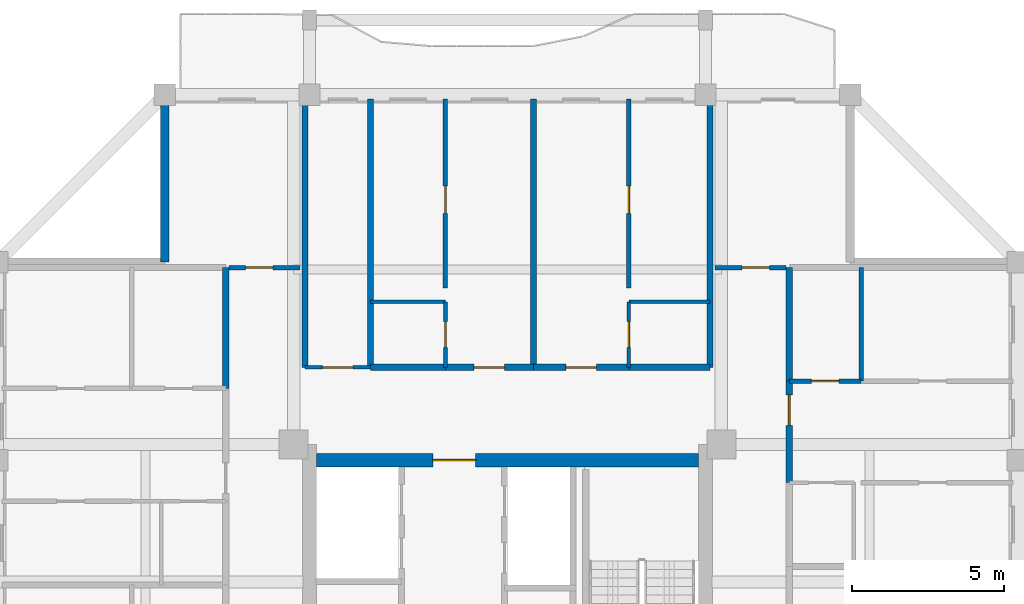
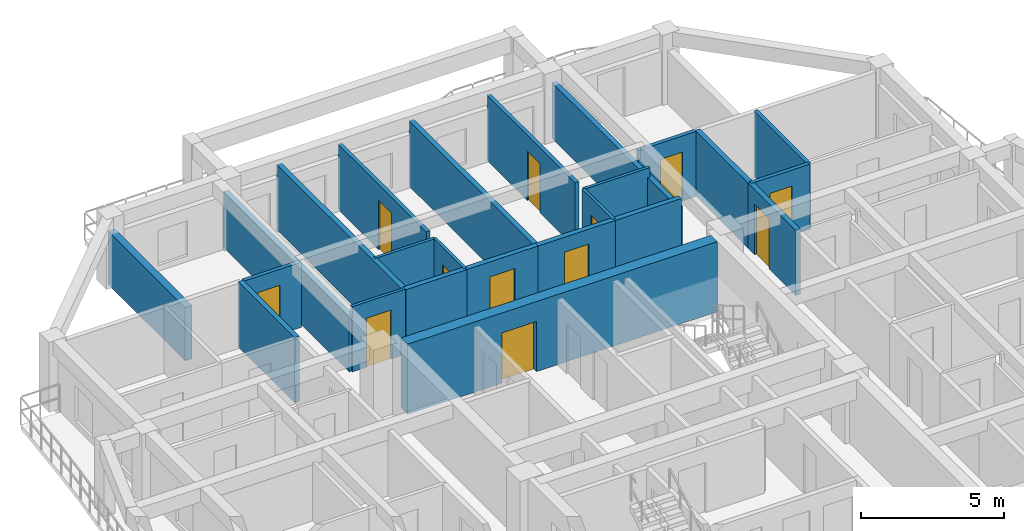
# One storey, part 6 of 13: 24 walls, 12 doors, 12 openings.
"""IFC4 building model written with IfcOpenShell, lengths in metres."""

import ifcopenshell
import ifcopenshell.guid

model = None  # the IFC model being written
_history = None  # IfcOwnerHistory: only IFC2X3 demands one
_inside = {}  # id of a spatial element -> (the spatial element, [elements in it])
_under = {}  # id of a project, library or spatial element -> (it, [spatial elements below it])
_declared = {}  # id of a project -> (the project, [libraries it declares])
_typed = {}  # id of a type object -> (the type object, [elements of that type])
_made_of = {}  # id of a material, layer set ... -> (it, [elements and type objects made of it])


def new_model(schema):
    """Start an empty IFC model of exactly this schema.

    Asked for "IFC4X3", IfcOpenShell would pick the latest addendum, in which some entities
    have other attributes; the version numbers below select the first issue.
    IFC2X3 requires an IfcOwnerHistory on every rooted entity: one is made here for all.
    """
    global model, _history
    if schema == "IFC4X3":
        model = ifcopenshell.file(schema_version=(4, 3, 0, 0))
    else:
        model = ifcopenshell.file(schema=schema)
    _inside.clear()
    _under.clear()
    _declared.clear()
    _typed.clear()
    _made_of.clear()
    _history = None
    if model.schema == "IFC2X3":
        org = make("IfcOrganization", Name="unknown")
        user = make(
            "IfcPersonAndOrganization",
            ThePerson=make("IfcPerson", FamilyName="unknown"),
            TheOrganization=org,
        )
        app = make(
            "IfcApplication",
            ApplicationDeveloper=org,
            Version="unknown",
            ApplicationFullName="unknown",
            ApplicationIdentifier="unknown",
        )
        _history = make(
            "IfcOwnerHistory",
            OwningUser=user,
            OwningApplication=app,
            ChangeAction="ADDED",
            CreationDate=0,
        )
    return model


def make(cls, **values):
    """One entity of the class cls with the attributes given. An attribute that is None is left unset."""
    return model.create_entity(
        cls, **{name: value for name, value in values.items() if value is not None}
    )


def rooted(cls, **values):
    """An entity with a GlobalId (a new one), such as an element, a storey or a relation."""
    return make(cls, GlobalId=ifcopenshell.guid.new(), OwnerHistory=_history, **values)


def si_unit(unit_type, name, prefix=None):
    """IfcSIUnit, for example si_unit("LENGTHUNIT", "METRE", prefix="MILLI")."""
    return make("IfcSIUnit", UnitType=unit_type, Prefix=prefix, Name=name)


def assignment(units):
    """IfcUnitAssignment: the units of a project."""
    return None if units is None else make("IfcUnitAssignment", Units=units)


def point(xyz):
    """IfcCartesianPoint."""
    return None if xyz is None else make("IfcCartesianPoint", Coordinates=xyz)


def direction(xyz):
    """IfcDirection."""
    return None if xyz is None else make("IfcDirection", DirectionRatios=xyz)


def frame(location, z_axis=None, x_axis=None):
    """IfcAxis2Placement3D, a coordinate frame: its origin and axes. An axis left out is left unset."""
    return make(
        "IfcAxis2Placement3D",
        Location=point(location),
        Axis=direction(z_axis),
        RefDirection=direction(x_axis),
    )


def frame_2d(location, x_axis=None):
    """IfcAxis2Placement2D, a coordinate frame in the plane: its origin and x axis."""
    return make(
        "IfcAxis2Placement2D", Location=point(location), RefDirection=direction(x_axis)
    )


def origin():
    """The frame at (0, 0, 0) with its axes left unset."""
    return frame((0.0, 0.0, 0.0))


def place(relative_to, where):
    """IfcLocalPlacement: puts the frame where relative to a parent placement (None: the world)."""
    return make(
        "IfcLocalPlacement", PlacementRelTo=relative_to, RelativePlacement=where
    )


def context(
    kind, dimensions, precision=None, world=None, true_north=None, identifier=None
):
    """IfcGeometricRepresentationContext, for example the 3D "Model" context."""
    return make(
        "IfcGeometricRepresentationContext",
        ContextIdentifier=identifier,
        ContextType=kind,
        CoordinateSpaceDimension=dimensions,
        Precision=precision,
        WorldCoordinateSystem=world,
        TrueNorth=true_north,
    )


def subcontext(parent, identifier, kind, view, scale=None):
    """IfcGeometricRepresentationSubContext, for example "Body" below "Model"."""
    return make(
        "IfcGeometricRepresentationSubContext",
        ContextIdentifier=identifier,
        ContextType=kind,
        ParentContext=parent,
        TargetScale=scale,
        TargetView=view,
    )


def project(units=None, contexts=None):
    """IfcProject with its units and contexts."""
    return rooted(
        "IfcProject",
        Name="project",
        RepresentationContexts=contexts,
        UnitsInContext=assignment(units),
    )


def spatial(cls, under=None, at=None, **own):
    """A site, building, storey or space (cls), placed at a placement, below another one or the project."""
    s = rooted(cls, ObjectPlacement=at, **own)
    if under is not None:
        _under.setdefault(under.id(), (under, []))[1].append(s)
    return s


def profile(cls, at=None, kind="AREA", **sizes):
    """A parametric profile (cls). Its sizes go by their IFC names, for example OverallWidth=200.0."""
    return make(cls, ProfileType=kind, Position=at, **sizes)


def rectangle(**sizes):
    """IfcRectangleProfileDef."""
    return profile("IfcRectangleProfileDef", **sizes)


def extrude(swept, where, along, depth):
    """IfcExtrudedAreaSolid: the profile swept, set in the frame where, extruded along a direction by depth."""
    return make(
        "IfcExtrudedAreaSolid",
        SweptArea=swept,
        Position=where,
        ExtrudedDirection=direction(along),
        Depth=depth,
    )


def shape(context_of_items, identifier, shape_type, items):
    """IfcShapeRepresentation: the items that make up one representation, for example the "Body"."""
    return make(
        "IfcShapeRepresentation",
        ContextOfItems=context_of_items,
        RepresentationIdentifier=identifier,
        RepresentationType=shape_type,
        Items=items,
    )


def source(mapping_origin, context_of_items, identifier, shape_type, items):
    """IfcRepresentationMap: a shape defined once, which mapped items show again and again."""
    return make(
        "IfcRepresentationMap",
        MappingOrigin=mapping_origin,
        MappedRepresentation=shape(context_of_items, identifier, shape_type, items),
    )


def transform(
    local_origin,
    x_axis=None,
    y_axis=None,
    z_axis=None,
    scale=None,
    scale2=None,
    scale3=None,
    uniform=True,
):
    """IfcCartesianTransformationOperator3D, or its non-uniform kind. x_axis, y_axis, z_axis: its Axis1, 2, 3."""
    if uniform:
        return make(
            "IfcCartesianTransformationOperator3D",
            Axis1=direction(x_axis),
            Axis2=direction(y_axis),
            LocalOrigin=point(local_origin),
            Scale=scale,
            Axis3=direction(z_axis),
        )
    return make(
        "IfcCartesianTransformationOperator3DnonUniform",
        Axis1=direction(x_axis),
        Axis2=direction(y_axis),
        LocalOrigin=point(local_origin),
        Scale=scale,
        Axis3=direction(z_axis),
        Scale2=scale2,
        Scale3=scale3,
    )


def mapped(mapping_source, mapping_target):
    """IfcMappedItem: shows the shape of a source again, moved by a transform."""
    return make(
        "IfcMappedItem", MappingSource=mapping_source, MappingTarget=mapping_target
    )


def material(Name=None, Category=None):
    """IfcMaterial."""
    return make("IfcMaterial", Name=Name, Category=Category)


def layer(
    of_material, thickness, ventilated=None, Name=None, Category=None, Priority=None
):
    """IfcMaterialLayer: one layer of a wall or slab, of a material (None: an air gap)."""
    return make(
        "IfcMaterialLayer",
        Material=of_material,
        LayerThickness=thickness,
        IsVentilated=ventilated,
        Name=Name,
        Category=Category,
        Priority=Priority,
    )


def layer_set(layers, Name=None):
    """IfcMaterialLayerSet."""
    return make("IfcMaterialLayerSet", MaterialLayers=layers, LayerSetName=Name)


def made_of(thing, what):
    """Note that an element or type object is made of a material, layer set ...; save() writes the relation."""
    if what is not None:
        _made_of.setdefault(what.id(), (what, []))[1].append(thing)
    return thing


def type_object(cls, material=None, **own):
    """A type object (cls), such as IfcWallType, which elements share."""
    return made_of(rooted(cls, **own), material)


def element(
    cls,
    number,
    at=None,
    inside=None,
    cuts=None,
    type_object=None,
    material=None,
    context=None,
    identifier="Body",
    shape_type=None,
    held_by="IfcProductDefinitionShape",
    body=None,
    shapes=None,
    **own,
):
    """One element of the class cls, such as IfcWall. Its Tag is "e" and its number.

    at: its placement. inside: the storey or other place that contains it. cuts: it is an
    opening in that element (IfcRelVoidsElement). A single representation is given by context,
    identifier, shape_type and body (its items); several are given by shapes. held_by: the class
    of the entity that holds the representations. save() writes the other relations.
    """
    e = rooted(cls, Tag="e%d" % number, ObjectPlacement=at, **own)
    if body is not None:
        shapes = [shape(context, identifier, shape_type, body)]
    if shapes is not None:
        e.Representation = make(held_by, Representations=shapes)
    if inside is not None:
        _inside.setdefault(inside.id(), (inside, []))[1].append(e)
    if cuts is not None:
        rooted(
            "IfcRelVoidsElement", RelatingBuildingElement=cuts, RelatedOpeningElement=e
        )
    if type_object is not None:
        _typed.setdefault(type_object.id(), (type_object, []))[1].append(e)
    return made_of(e, material)


def fill(opening, filler):
    """IfcRelFillsElement: the door or window that sits in an opening."""
    return rooted(
        "IfcRelFillsElement",
        RelatingOpeningElement=opening,
        RelatedBuildingElement=filler,
    )


def aggregate(whole, parts):
    """IfcRelAggregates: a whole, such as a stair, and the parts it consists of."""
    return rooted("IfcRelAggregates", RelatingObject=whole, RelatedObjects=parts)


def save(model, path):
    """Write the relations noted so far, then the file.

    IfcRelAggregates (storeys below a building ...), IfcRelContainedInSpatialStructure (elements
    in a storey), IfcRelDefinesByType, IfcRelAssociatesMaterial and IfcRelDeclares: one each for
    every whole, place, type object, material and project.
    """
    for whole, parts in _under.values():
        aggregate(whole, parts)
    for where, things in _inside.values():
        rooted(
            "IfcRelContainedInSpatialStructure",
            RelatedElements=things,
            RelatingStructure=where,
        )
    for kind, things in _typed.values():
        rooted("IfcRelDefinesByType", RelatedObjects=things, RelatingType=kind)
    for what, things in _made_of.values():
        rooted("IfcRelAssociatesMaterial", RelatedObjects=things, RelatingMaterial=what)
    for by, libraries in _declared.values():
        rooted("IfcRelDeclares", RelatingContext=by, RelatedDefinitions=libraries)
    model.write(path)


model = new_model("IFC4")

# Units and contexts
model_context = context("Model", 3, precision=1e-05, world=origin(), true_north=direction((0.0, 1.0)))
body_context = subcontext(model_context, "Body", "Model", "MODEL_VIEW")
ifc_project = project(units=[si_unit("LENGTHUNIT", "METRE"), si_unit("AREAUNIT", "SQUARE_METRE"), si_unit("VOLUMEUNIT", "CUBIC_METRE"), si_unit("PLANEANGLEUNIT", "RADIAN"), si_unit("MASSUNIT", "GRAM", prefix="KILO")], contexts=[model_context])

# Site, building, storey
site_placement = place(None, origin())
site = spatial("IfcSite", under=ifc_project, at=site_placement, CompositionType="ELEMENT")
building_placement = place(site_placement, origin())
building = spatial("IfcBuilding", under=site, at=building_placement, Name="Saelheon Loggia Tower", CompositionType="ELEMENT")
storey_placement = place(building_placement, frame((0.0, 0.0, 223.199951171875)))
storey = spatial("IfcBuildingStorey", under=building, at=storey_placement, Name="L69", CompositionType="ELEMENT", Elevation=223.199951171875)

# Wall, opening, door
ifc_material_1 = material(Name="Concrete C45/55", Category="concrete")
ifc_layer_1 = layer(ifc_material_1, 0.449951171875)
ifc_layer_set_1 = layer_set([ifc_layer_1], Name="Concrete C45/55")
wall_type_1 = type_object("IfcWallType", Name="Wall_CoreShear_450", PredefinedType="SHEAR", material=ifc_layer_set_1)
wall_1_placement = place(storey_placement, frame((31.72509765625, 36.0, 0.0), z_axis=(0.0, 0.0, 1.0), x_axis=(1.0, 0.0, 0.0)))
wall_1 = element("IfcWall", 1, at=wall_1_placement, inside=storey, type_object=wall_type_1, Name="L69 Core Shear Wall North", PredefinedType="SHEAR", context=body_context, shape_type="SweptSolid", body=[
    extrude(rectangle(XDim=12.5498046875, YDim=0.449951171875, at=frame_2d((6.27490234375, 0.0))), origin(), (0.0, 0.0, 1.0), 3.0),
])
opening_1_placement = place(wall_1_placement, frame((5.224853515625, 0.0, 0.0), z_axis=(0.0, 0.0, 1.0), x_axis=(-1.0, 0.0, 0.0)))
opening_1 = element("IfcOpeningElement", 2, at=opening_1_placement, cuts=wall_1, Name="Opening D-FD2L", PredefinedType="OPENING", context=body_context, shape_type="SweptSolid", body=[
    extrude(rectangle(XDim=1.39990234375, YDim=2.14990234375, at=frame_2d((0.699951171875, 1.074951171875))), frame((0.0, 0.237060546875, 0.0), z_axis=(0.0, -1.0, 0.0), x_axis=(1.0, 0.0, 0.0)), (0.0, 0.0, 1.0), 0.473876953125),
])
ifc_material_2 = material(Name="Galvanised Steel Glazed Lobby Fire Door", Category="steel")
door_type_1 = type_object("IfcDoorType", Name="Door_Fire_FD60_1400", OperationType="NOTDEFINED", PredefinedType="DOOR", material=ifc_material_2)
shared_shape_1 = source(origin(), body_context, "Body", "SweptSolid", [
    extrude(rectangle(XDim=1.39990234375, YDim=2.14990234375, at=frame_2d((0.699951171875, 1.074951171875))), frame((0.0, 0.02490234375, 0.0), z_axis=(0.0, -1.0, 0.0), x_axis=(1.0, 0.0, 0.0)), (0.0, 0.0, 1.0), 0.050048828125),
])
door_1_placement = place(opening_1_placement, origin())
door_1 = element("IfcDoor", 3, at=door_1_placement, inside=storey, type_object=door_type_1, Name="L69 Passenger Lift Lobby Main Door", OperationType="SINGLE_SWING_RIGHT", OverallHeight=2.14990234375, OverallWidth=1.39990234375, PredefinedType="DOOR", context=body_context, shape_type="MappedRepresentation", body=[
    mapped(shared_shape_1, transform((0.0, 0.0, 0.0), scale=1.0)),
])
fill(opening_1, door_1)

# Wall
ifc_material_3 = material(Name="Architectural Precast Concrete C40/50", Category="concrete")
ifc_layer_2 = layer(ifc_material_3, 0.280029296875)
ifc_layer_set_2 = layer_set([ifc_layer_2], Name="Architectural Precast Concrete C40/50")
wall_type_2 = type_object("IfcWallType", Name="Wall_Ext_Loggia_280", PredefinedType="SOLIDWALL", material=ifc_layer_set_2)
wall_2_placement = place(storey_placement, frame((26.75, 42.5, 0.0), z_axis=(0.0, 0.0, 1.0), x_axis=(0.0, 1.0, 0.0)))
element("IfcWall", 4, at=wall_2_placement, inside=storey, type_object=wall_type_2, Name="L69 Corner Notch Precast Wall NW1", PredefinedType="SOLIDWALL", context=body_context, shape_type="SweptSolid", body=[
    extrude(rectangle(XDim=5.419921875, YDim=0.280029296875, at=frame_2d((2.7099609375, 0.0))), origin(), (0.0, 0.0, 1.0), 2.280029296875),
])

# Wall, opening, door
ifc_material_4 = material(Name="Lightweight Autoclaved Aerated Concrete Block and Acoustic Gypsum", Category="concrete")
ifc_layer_3 = layer(ifc_material_4, 0.14990234375)
ifc_layer_set_3 = layer_set([ifc_layer_3], Name="Lightweight Autoclaved Aerated Concrete Block and Acoustic Gypsum")
wall_type_3 = type_object("IfcWallType", Name="Wall_Part_150", PredefinedType="PARTITIONING", material=ifc_layer_set_3)
wall_3_placement = place(storey_placement, frame((28.85009765625, 42.320068359375, 0.0), z_axis=(0.0, 0.0, 1.0), x_axis=(1.0, 0.0, 0.0)))
wall_3 = element("IfcWall", 5, at=wall_3_placement, inside=storey, type_object=wall_type_3, Name="PW-L69-CNW-H", PredefinedType="PARTITIONING", context=body_context, shape_type="SweptSolid", body=[
    extrude(rectangle(XDim=2.329833984375, YDim=0.14990234375, at=frame_2d((1.1650390625, 0.0))), origin(), (0.0, 0.0, 1.0), 2.7900390625),
])
opening_2_placement = place(wall_3_placement, frame((0.550048828125, 0.0, 0.0)))
opening_2 = element("IfcOpeningElement", 6, at=opening_2_placement, cuts=wall_3, Name="Opening D-IN2", PredefinedType="OPENING", context=body_context, shape_type="SweptSolid", body=[
    extrude(rectangle(XDim=0.89990234375, YDim=2.10009765625, at=frame_2d((0.449951171875, 1.050048828125))), frame((0.0, 0.0869140625, 0.0), z_axis=(0.0, -1.0, 0.0), x_axis=(1.0, 0.0, 0.0)), (0.0, 0.0, 1.0), 0.173828125),
])
ifc_material_5 = material(Name="Engineered Oak Flush Door", Category="timber")
door_type_2 = type_object("IfcDoorType", Name="Door_Int_900", OperationType="NOTDEFINED", PredefinedType="DOOR", material=ifc_material_5)
shared_shape_2 = source(origin(), body_context, "Body", "SweptSolid", [
    extrude(rectangle(XDim=0.89990234375, YDim=2.10009765625, at=frame_2d((0.449951171875, 1.050048828125))), frame((0.0, 0.02490234375, 0.0), z_axis=(0.0, -1.0, 0.0), x_axis=(1.0, 0.0, 0.0)), (0.0, 0.0, 1.0), 0.050048828125),
])
door_2_placement = place(opening_2_placement, origin())
door_2 = element("IfcDoor", 7, at=door_2_placement, inside=storey, type_object=door_type_2, Name="L69 Corner Home Office NW Door", OperationType="SINGLE_SWING_LEFT", OverallHeight=2.10009765625, OverallWidth=0.89990234375, PredefinedType="DOOR", context=body_context, shape_type="MappedRepresentation", body=[
    mapped(shared_shape_2, transform((0.0, 0.0, 0.0), scale=1.0)),
])
fill(opening_2, door_2)

wall_4_placement = place(storey_placement, frame((44.820068359375, 42.320068359375, 0.0), z_axis=(0.0, 0.0, 1.0), x_axis=(1.0, 0.0, 0.0)))
wall_4 = element("IfcWall", 8, at=wall_4_placement, inside=storey, type_object=wall_type_3, Name="PW-L69-CNE-H", PredefinedType="PARTITIONING", context=body_context, shape_type="SweptSolid", body=[
    extrude(rectangle(XDim=2.329833984375, YDim=0.14990234375, at=frame_2d((1.1650390625, 0.0))), origin(), (0.0, 0.0, 1.0), 2.7900390625),
])
opening_3_placement = place(wall_4_placement, frame((0.8798828125, 0.0, 0.0)))
opening_3 = element("IfcOpeningElement", 9, at=opening_3_placement, cuts=wall_4, Name="Opening D-IN2", PredefinedType="OPENING", context=body_context, shape_type="SweptSolid", body=[
    extrude(rectangle(XDim=0.89990234375, YDim=2.10009765625, at=frame_2d((0.449951171875, 1.050048828125))), frame((0.0, 0.0869140625, 0.0), z_axis=(0.0, -1.0, 0.0), x_axis=(1.0, 0.0, 0.0)), (0.0, 0.0, 1.0), 0.173828125),
])
door_3_placement = place(opening_3_placement, origin())
door_3 = element("IfcDoor", 10, at=door_3_placement, inside=storey, type_object=door_type_2, Name="L69 Corner Reading Room NE Door", OperationType="SINGLE_SWING_LEFT", OverallHeight=2.10009765625, OverallWidth=0.89990234375, PredefinedType="DOOR", context=body_context, shape_type="MappedRepresentation", body=[
    mapped(shared_shape_2, transform((0.0, 0.0, 0.0), scale=1.0)),
])
fill(opening_3, door_3)

wall_5_placement = place(storey_placement, frame((35.9619140625, 41.64990234375, 0.0), z_axis=(0.0, 0.0, 1.0), x_axis=(0.0, 1.0, 0.0)))
wall_5 = element("IfcWall", 11, at=wall_5_placement, inside=storey, type_object=wall_type_3, Name="L69 N Partition U09", PredefinedType="PARTITIONING", context=body_context, shape_type="SweptSolid", body=[
    extrude(rectangle(XDim=6.2001953125, YDim=0.14990234375, at=frame_2d((3.10009765625, 0.0))), origin(), (0.0, 0.0, 1.0), 2.7900390625),
])
opening_4_placement = place(wall_5_placement, frame((2.44921875, 0.0, 0.0)))
opening_4 = element("IfcOpeningElement", 12, at=opening_4_placement, cuts=wall_5, Name="Opening D-IN2", PredefinedType="OPENING", context=body_context, shape_type="SweptSolid", body=[
    extrude(rectangle(XDim=0.89990234375, YDim=2.10009765625, at=frame_2d((0.449951171875, 1.050048828125))), frame((0.0, 0.0869140625, 0.0), z_axis=(0.0, -1.0, 0.0), x_axis=(1.0, 0.0, 0.0)), (0.0, 0.0, 1.0), 0.173828125),
])
door_4_placement = place(opening_4_placement, origin())
door_4 = element("IfcDoor", 13, at=door_4_placement, inside=storey, type_object=door_type_2, Name="Unit U03 Kitchen Door", OperationType="SINGLE_SWING_LEFT", OverallHeight=2.10009765625, OverallWidth=0.89990234375, PredefinedType="DOOR", context=body_context, shape_type="MappedRepresentation", body=[
    mapped(shared_shape_2, transform((0.0, 0.0, 0.0), scale=1.0)),
])
fill(opening_4, door_4)

wall_6_placement = place(storey_placement, frame((41.98291015625, 41.64990234375, 0.0), z_axis=(0.0, 0.0, 1.0), x_axis=(0.0, 1.0, 0.0)))
wall_6 = element("IfcWall", 14, at=wall_6_placement, inside=storey, type_object=wall_type_3, Name="L69 N Partition U15", PredefinedType="PARTITIONING", context=body_context, shape_type="SweptSolid", body=[
    extrude(rectangle(XDim=6.2001953125, YDim=0.14990234375, at=frame_2d((3.10009765625, 0.0))), origin(), (0.0, 0.0, 1.0), 2.7900390625),
])
opening_5_placement = place(wall_6_placement, frame((2.44921875, 0.0, 0.0)))
opening_5 = element("IfcOpeningElement", 15, at=opening_5_placement, cuts=wall_6, Name="Opening D-IN2", PredefinedType="OPENING", context=body_context, shape_type="SweptSolid", body=[
    extrude(rectangle(XDim=0.89990234375, YDim=2.10009765625, at=frame_2d((0.449951171875, 1.050048828125))), frame((0.0, 0.0869140625, 0.0), z_axis=(0.0, -1.0, 0.0), x_axis=(1.0, 0.0, 0.0)), (0.0, 0.0, 1.0), 0.173828125),
])
door_5_placement = place(opening_5_placement, origin())
door_5 = element("IfcDoor", 16, at=door_5_placement, inside=storey, type_object=door_type_2, Name="Unit U04 Kitchen Door", OperationType="SINGLE_SWING_RIGHT", OverallHeight=2.10009765625, OverallWidth=0.89990234375, PredefinedType="DOOR", context=body_context, shape_type="MappedRepresentation", body=[
    mapped(shared_shape_2, transform((0.0, 0.0, 0.0), scale=1.0)),
])
fill(opening_5, door_5)

# Wall
wall_7_placement = place(storey_placement, frame((49.610107421875, 38.59423828125, 0.0), z_axis=(0.0, 0.0, 1.0), x_axis=(0.0, 1.0, 0.0)))
element("IfcWall", 17, at=wall_7_placement, inside=storey, type_object=wall_type_3, Name="L69 E Partition V27", PredefinedType="PARTITIONING", context=body_context, shape_type="SweptSolid", body=[
    extrude(rectangle(XDim=3.725830078125, YDim=0.14990234375, at=frame_2d((1.86279296875, 0.0))), origin(), (0.0, 0.0, 1.0), 2.7900390625),
])

# Wall, opening, door
wall_8_placement = place(storey_placement, frame((47.25, 38.59423828125, 0.0), z_axis=(0.0, 0.0, 1.0), x_axis=(1.0, 0.0, 0.0)))
wall_8 = element("IfcWall", 18, at=wall_8_placement, inside=storey, type_object=wall_type_3, Name="L69 E Partition U30", PredefinedType="PARTITIONING", context=body_context, shape_type="SweptSolid", body=[
    extrude(rectangle(XDim=2.360107421875, YDim=0.14990234375, at=frame_2d((1.18017578125, 0.0))), origin(), (0.0, 0.0, 1.0), 2.7900390625),
])
opening_6_placement = place(wall_8_placement, frame((0.72998046875, 0.0, 0.0)))
opening_6 = element("IfcOpeningElement", 19, at=opening_6_placement, cuts=wall_8, Name="Opening D-IN2", PredefinedType="OPENING", context=body_context, shape_type="SweptSolid", body=[
    extrude(rectangle(XDim=0.89990234375, YDim=2.10009765625, at=frame_2d((0.449951171875, 1.050048828125))), frame((0.0, 0.0869140625, 0.0), z_axis=(0.0, -1.0, 0.0), x_axis=(1.0, 0.0, 0.0)), (0.0, 0.0, 1.0), 0.173828125),
])
door_6_placement = place(opening_6_placement, origin())
door_6 = element("IfcDoor", 20, at=door_6_placement, inside=storey, type_object=door_type_2, Name="Unit U10 Dressing Closet Door", OperationType="SINGLE_SWING_LEFT", OverallHeight=2.10009765625, OverallWidth=0.89990234375, PredefinedType="DOOR", context=body_context, shape_type="MappedRepresentation", body=[
    mapped(shared_shape_2, transform((0.0, 0.0, 0.0), scale=1.0)),
])
fill(opening_6, door_6)

# Walls
ifc_material_6 = material(Name="Double Acoustic Stud and Fireboard Partition", Category="gypsum")
ifc_layer_4 = layer(ifc_material_6, 0.199951171875)
ifc_layer_set_4 = layer_set([ifc_layer_4], Name="Double Acoustic Stud and Fireboard Partition")
wall_type_4 = type_object("IfcWallType", Name="Wall_Party_200", PredefinedType="PARTITIONING", material=ifc_layer_set_4)
for number, where, z_axis, x_axis, name in (
    (21, (31.35009765625, 39.050048828125, 0.0), (0.0, 0.0, 1.0), (0.0, 1.0, 0.0), "L69 N Partition U01"),
    (22, (44.64990234375, 39.050048828125, 0.0), (0.0, 0.0, 1.0), (0.0, 1.0, 0.0), "L69 N Partition U02"),
):
    element("IfcWall", number, at=place(storey_placement, frame(where, z_axis=z_axis, x_axis=x_axis)), inside=storey, type_object=wall_type_4, Name=name, PredefinedType="PARTITIONING", context=body_context, shape_type="SweptSolid", body=[
        extrude(rectangle(XDim=8.800048828125, YDim=0.199951171875, at=frame_2d((4.39990234375, 0.0))), origin(), (0.0, 0.0, 1.0), 2.39013671875),
    ])
wall_9_placement = place(storey_placement, frame((33.5, 39.050048828125, 0.0), z_axis=(0.0, 0.0, 1.0), x_axis=(0.0, 1.0, 0.0)))
element("IfcWall", 23, at=wall_9_placement, inside=storey, type_object=wall_type_4, Name="L69 N Partition U03", PredefinedType="PARTITIONING", context=body_context, shape_type="SweptSolid", body=[
    extrude(rectangle(XDim=8.800048828125, YDim=0.199951171875, at=frame_2d((4.39990234375, 0.0))), origin(), (0.0, 0.0, 1.0), 2.7900390625),
])
wall_10_placement = place(storey_placement, frame((33.5, 39.050048828125, 0.0), z_axis=(0.0, 0.0, 1.0), x_axis=(1.0, 0.0, 0.0)))
element("IfcWall", 24, at=wall_10_placement, inside=storey, type_object=wall_type_4, Name="L69 N Partition V05", PredefinedType="PARTITIONING", context=body_context, shape_type="SweptSolid", body=[
    extrude(rectangle(XDim=2.4619140625, YDim=0.199951171875, at=frame_2d((1.23095703125, 0.0))), origin(), (0.0, 0.0, 1.0), 2.7900390625),
])

# Wall, opening, door
wall_11_placement = place(storey_placement, frame((35.9619140625, 39.050048828125, 0.0), z_axis=(0.0, 0.0, 1.0), x_axis=(1.0, 0.0, 0.0)))
wall_11 = element("IfcWall", 25, at=wall_11_placement, inside=storey, type_object=wall_type_4, Name="L69 N Partition V06", PredefinedType="PARTITIONING", context=body_context, shape_type="SweptSolid", body=[
    extrude(rectangle(XDim=2.89013671875, YDim=0.199951171875, at=frame_2d((1.445068359375, 0.0))), origin(), (0.0, 0.0, 1.0), 2.7900390625),
])
opening_7_placement = place(wall_11_placement, frame((0.945068359375, 0.0, 0.0)))
opening_7 = element("IfcOpeningElement", 26, at=opening_7_placement, cuts=wall_11, Name="Opening D-FD1", PredefinedType="OPENING", context=body_context, shape_type="SweptSolid", body=[
    extrude(rectangle(XDim=1.0, YDim=2.14990234375, at=frame_2d((0.5, 1.074951171875))), frame((0.0, 0.112060546875, 0.0), z_axis=(0.0, -1.0, 0.0), x_axis=(1.0, 0.0, 0.0)), (0.0, 0.0, 1.0), 0.223876953125),
])
ifc_material_7 = material(Name="Fire-Rated Engineered Timber Entrance Door", Category="wood")
door_type_3 = type_object("IfcDoorType", Name="Door_Flat_FD30S", OperationType="NOTDEFINED", PredefinedType="DOOR", material=ifc_material_7)
shared_shape_3 = source(origin(), body_context, "Body", "SweptSolid", [
    extrude(rectangle(XDim=1.0, YDim=2.14990234375, at=frame_2d((0.5, 1.074951171875))), frame((0.0, 0.02490234375, 0.0), z_axis=(0.0, -1.0, 0.0), x_axis=(1.0, 0.0, 0.0)), (0.0, 0.0, 1.0), 0.050048828125),
])
door_7_placement = place(opening_7_placement, origin())
door_7 = element("IfcDoor", 27, at=door_7_placement, inside=storey, type_object=door_type_3, Name="Unit U03 Entrance Door", OperationType="SINGLE_SWING_LEFT", OverallHeight=2.14990234375, OverallWidth=1.0, PredefinedType="DOOR", context=body_context, shape_type="MappedRepresentation", body=[
    mapped(shared_shape_3, transform((0.0, 0.0, 0.0), scale=1.0)),
])
fill(opening_7, door_7)

# Wall
wall_12_placement = place(storey_placement, frame((38.85205078125, 39.050048828125, 0.0), z_axis=(0.0, 0.0, 1.0), x_axis=(0.0, 1.0, 0.0)))
element("IfcWall", 28, at=wall_12_placement, inside=storey, type_object=wall_type_4, Name="L69 N Partition U10", PredefinedType="PARTITIONING", context=body_context, shape_type="SweptSolid", body=[
    extrude(rectangle(XDim=8.800048828125, YDim=0.199951171875, at=frame_2d((4.39990234375, 0.0))), origin(), (0.0, 0.0, 1.0), 2.7900390625),
])

# Wall, opening, door
wall_13_placement = place(storey_placement, frame((38.85205078125, 39.050048828125, 0.0), z_axis=(0.0, 0.0, 1.0), x_axis=(1.0, 0.0, 0.0)))
wall_13 = element("IfcWall", 29, at=wall_13_placement, inside=storey, type_object=wall_type_4, Name="L69 N Partition V11", PredefinedType="PARTITIONING", context=body_context, shape_type="SweptSolid", body=[
    extrude(rectangle(XDim=3.130859375, YDim=0.199951171875, at=frame_2d((1.5654296875, 0.0))), origin(), (0.0, 0.0, 1.0), 2.7900390625),
])
opening_8_placement = place(wall_13_placement, frame((1.0654296875, 0.0, 0.0)))
opening_8 = element("IfcOpeningElement", 30, at=opening_8_placement, cuts=wall_13, Name="Opening D-FD1", PredefinedType="OPENING", context=body_context, shape_type="SweptSolid", body=[
    extrude(rectangle(XDim=1.0, YDim=2.14990234375, at=frame_2d((0.5, 1.074951171875))), frame((0.0, 0.112060546875, 0.0), z_axis=(0.0, -1.0, 0.0), x_axis=(1.0, 0.0, 0.0)), (0.0, 0.0, 1.0), 0.223876953125),
])
door_8_placement = place(opening_8_placement, origin())
door_8 = element("IfcDoor", 31, at=door_8_placement, inside=storey, type_object=door_type_3, Name="Unit U04 Entrance Door", OperationType="SINGLE_SWING_RIGHT", OverallHeight=2.14990234375, OverallWidth=1.0, PredefinedType="DOOR", context=body_context, shape_type="MappedRepresentation", body=[
    mapped(shared_shape_3, transform((0.0, 0.0, 0.0), scale=1.0)),
])
fill(opening_8, door_8)

# Walls
wall_14_placement = place(storey_placement, frame((41.98291015625, 39.050048828125, 0.0), z_axis=(0.0, 0.0, 1.0), x_axis=(1.0, 0.0, 0.0)))
element("IfcWall", 32, at=wall_14_placement, inside=storey, type_object=wall_type_4, Name="L69 N Partition V12", PredefinedType="PARTITIONING", context=body_context, shape_type="SweptSolid", body=[
    extrude(rectangle(XDim=2.6669921875, YDim=0.199951171875, at=frame_2d((1.33349609375, 0.0))), origin(), (0.0, 0.0, 1.0), 2.7900390625),
])
wall_15_placement = place(storey_placement, frame((28.75, 38.361328125, 0.0), z_axis=(0.0, 0.0, 1.0), x_axis=(0.0, 1.0, 0.0)))
element("IfcWall", 33, at=wall_15_placement, inside=storey, type_object=wall_type_4, Name="L69 W Partition V27", PredefinedType="PARTITIONING", context=body_context, shape_type="SweptSolid", body=[
    extrude(rectangle(XDim=3.958740234375, YDim=0.199951171875, at=frame_2d((1.9794921875, 0.0))), origin(), (0.0, 0.0, 1.0), 2.7900390625),
])

# Wall, opening, door
wall_16_placement = place(storey_placement, frame((47.25, 35.260498046875, 0.0), z_axis=(0.0, 0.0, 1.0), x_axis=(0.0, 1.0, 0.0)))
wall_16 = element("IfcWall", 34, at=wall_16_placement, inside=storey, type_object=wall_type_4, Name="L69 E Partition V24", PredefinedType="PARTITIONING", context=body_context, shape_type="SweptSolid", body=[
    extrude(rectangle(XDim=3.333740234375, YDim=0.199951171875, at=frame_2d((1.6669921875, 0.0))), origin(), (0.0, 0.0, 1.0), 2.7900390625),
])
opening_9_placement = place(wall_16_placement, frame((1.884765625, 0.0, 0.0)))
opening_9 = element("IfcOpeningElement", 35, at=opening_9_placement, cuts=wall_16, Name="Opening D-FD1", PredefinedType="OPENING", context=body_context, shape_type="SweptSolid", body=[
    extrude(rectangle(XDim=1.0, YDim=2.14990234375, at=frame_2d((0.5, 1.074951171875))), frame((0.0, 0.112060546875, 0.0), z_axis=(0.0, -1.0, 0.0), x_axis=(1.0, 0.0, 0.0)), (0.0, 0.0, 1.0), 0.223876953125),
])
door_9_placement = place(opening_9_placement, origin())
door_9 = element("IfcDoor", 36, at=door_9_placement, inside=storey, type_object=door_type_3, Name="Unit U10 Entrance Door", OperationType="SINGLE_SWING_RIGHT", OverallHeight=2.14990234375, OverallWidth=1.0, PredefinedType="DOOR", context=body_context, shape_type="MappedRepresentation", body=[
    mapped(shared_shape_3, transform((0.0, 0.0, 0.0), scale=1.0)),
])
fill(opening_9, door_9)

# Wall
wall_17_placement = place(storey_placement, frame((47.25, 38.59423828125, 0.0), z_axis=(0.0, 0.0, 1.0), x_axis=(0.0, 1.0, 0.0)))
element("IfcWall", 37, at=wall_17_placement, inside=storey, type_object=wall_type_4, Name="L69 E Partition V25", PredefinedType="PARTITIONING", context=body_context, shape_type="SweptSolid", body=[
    extrude(rectangle(XDim=3.725830078125, YDim=0.199951171875, at=frame_2d((1.86279296875, 0.0))), origin(), (0.0, 0.0, 1.0), 2.7900390625),
])

# Wall, opening, door
ifc_material_8 = material(Name="Moisture-Resistant Cement Board Partition", Category="gypsum")
ifc_layer_5 = layer(ifc_material_8, 0.1201171875)
ifc_layer_set_5 = layer_set([ifc_layer_5], Name="Moisture-Resistant Cement Board Partition")
wall_type_5 = type_object("IfcWallType", Name="Wall_WetPart_120", PredefinedType="PARTITIONING", material=ifc_layer_set_5)
wall_18_placement = place(storey_placement, frame((31.35009765625, 39.050048828125, 0.0), z_axis=(0.0, 0.0, 1.0), x_axis=(1.0, 0.0, 0.0)))
wall_18 = element("IfcWall", 38, at=wall_18_placement, inside=storey, type_object=wall_type_5, Name="L69 N Partition V04", PredefinedType="PARTITIONING", context=body_context, shape_type="SweptSolid", body=[
    extrude(rectangle(XDim=2.14990234375, YDim=0.1201171875, at=frame_2d((1.074951171875, 0.0))), origin(), (0.0, 0.0, 1.0), 2.7900390625),
])
opening_10_placement = place(wall_18_placement, frame((0.574951171875, 0.0, 0.0)))
opening_10 = element("IfcOpeningElement", 39, at=opening_10_placement, cuts=wall_18, Name="Opening D-AC1", PredefinedType="OPENING", context=body_context, shape_type="SweptSolid", body=[
    extrude(rectangle(XDim=1.0, YDim=2.10009765625, at=frame_2d((0.5, 1.050048828125))), frame((0.0, 0.072021484375, 0.0), z_axis=(0.0, -1.0, 0.0), x_axis=(1.0, 0.0, 0.0)), (0.0, 0.0, 1.0), 0.14404296875),
])
ifc_material_9 = material(Name="Accessible Laminate Flush Door", Category="timber")
door_type_4 = type_object("IfcDoorType", Name="Door_Acc_1000", OperationType="NOTDEFINED", PredefinedType="DOOR", material=ifc_material_9)
shared_shape_4 = source(origin(), body_context, "Body", "SweptSolid", [
    extrude(rectangle(XDim=1.0, YDim=2.10009765625, at=frame_2d((0.5, 1.050048828125))), frame((0.0, 0.02490234375, 0.0), z_axis=(0.0, -1.0, 0.0), x_axis=(1.0, 0.0, 0.0)), (0.0, 0.0, 1.0), 0.050048828125),
])
door_10_placement = place(opening_10_placement, origin())
door_10 = element("IfcDoor", 40, at=door_10_placement, inside=storey, type_object=door_type_4, Name="L69 Floor Accessible WC Door", OperationType="SINGLE_SWING_RIGHT", OverallHeight=2.10009765625, OverallWidth=1.0, PredefinedType="DOOR", context=body_context, shape_type="MappedRepresentation", body=[
    mapped(shared_shape_4, transform((0.0, 0.0, 0.0), scale=1.0)),
])
fill(opening_10, door_10)

wall_19_placement = place(storey_placement, frame((35.9619140625, 39.050048828125, 0.0), z_axis=(0.0, 0.0, 1.0), x_axis=(0.0, 1.0, 0.0)))
wall_19 = element("IfcWall", 41, at=wall_19_placement, inside=storey, type_object=wall_type_5, Name="L69 N Partition U07", PredefinedType="PARTITIONING", context=body_context, shape_type="SweptSolid", body=[
    extrude(rectangle(XDim=2.14990234375, YDim=0.1201171875, at=frame_2d((1.074951171875, 0.0))), origin(), (0.0, 0.0, 1.0), 2.7900390625),
])
opening_11_placement = place(wall_19_placement, frame((0.64990234375, 0.0, 0.0)))
opening_11 = element("IfcOpeningElement", 42, at=opening_11_placement, cuts=wall_19, Name="Opening D-BT1", PredefinedType="OPENING", context=body_context, shape_type="SweptSolid", body=[
    extrude(rectangle(XDim=0.85009765625, YDim=2.050048828125, at=frame_2d((0.425048828125, 1.02490234375))), frame((0.0, 0.072021484375, 0.0), z_axis=(0.0, -1.0, 0.0), x_axis=(1.0, 0.0, 0.0)), (0.0, 0.0, 1.0), 0.14404296875),
])
ifc_material_10 = material(Name="Moisture-Resistant Laminate Timber Door", Category="wood")
door_type_5 = type_object("IfcDoorType", Name="Door_Bath_850", OperationType="NOTDEFINED", PredefinedType="DOOR", material=ifc_material_10)
shared_shape_5 = source(origin(), body_context, "Body", "SweptSolid", [
    extrude(rectangle(XDim=0.85009765625, YDim=2.050048828125, at=frame_2d((0.425048828125, 1.02490234375))), frame((0.0, 0.02490234375, 0.0), z_axis=(0.0, -1.0, 0.0), x_axis=(1.0, 0.0, 0.0)), (0.0, 0.0, 1.0), 0.050048828125),
])
door_11_placement = place(opening_11_placement, origin())
door_11 = element("IfcDoor", 43, at=door_11_placement, inside=storey, type_object=door_type_5, Name="Unit U03 Bathroom Door", OperationType="SINGLE_SWING_RIGHT", OverallHeight=2.050048828125, OverallWidth=0.85009765625, PredefinedType="DOOR", context=body_context, shape_type="MappedRepresentation", body=[
    mapped(shared_shape_5, transform((0.0, 0.0, 0.0), scale=1.0)),
])
fill(opening_11, door_11)

# Wall
wall_20_placement = place(storey_placement, frame((33.5, 41.199951171875, 0.0), z_axis=(0.0, 0.0, 1.0), x_axis=(1.0, 0.0, 0.0)))
element("IfcWall", 44, at=wall_20_placement, inside=storey, type_object=wall_type_5, Name="L69 N Partition V08", PredefinedType="PARTITIONING", context=body_context, shape_type="SweptSolid", body=[
    extrude(rectangle(XDim=2.4619140625, YDim=0.1201171875, at=frame_2d((1.23095703125, 0.0))), origin(), (0.0, 0.0, 1.0), 2.7900390625),
])

# Wall, opening, door
wall_21_placement = place(storey_placement, frame((41.98291015625, 39.050048828125, 0.0), z_axis=(0.0, 0.0, 1.0), x_axis=(0.0, 1.0, 0.0)))
wall_21 = element("IfcWall", 45, at=wall_21_placement, inside=storey, type_object=wall_type_5, Name="L69 N Partition U13", PredefinedType="PARTITIONING", context=body_context, shape_type="SweptSolid", body=[
    extrude(rectangle(XDim=2.14990234375, YDim=0.1201171875, at=frame_2d((1.074951171875, 0.0))), origin(), (0.0, 0.0, 1.0), 2.7900390625),
])
opening_12_placement = place(wall_21_placement, frame((0.64990234375, 0.0, 0.0)))
opening_12 = element("IfcOpeningElement", 46, at=opening_12_placement, cuts=wall_21, Name="Opening D-BT1", PredefinedType="OPENING", context=body_context, shape_type="SweptSolid", body=[
    extrude(rectangle(XDim=0.85009765625, YDim=2.050048828125, at=frame_2d((0.425048828125, 1.02490234375))), frame((0.0, 0.072021484375, 0.0), z_axis=(0.0, -1.0, 0.0), x_axis=(1.0, 0.0, 0.0)), (0.0, 0.0, 1.0), 0.14404296875),
])
door_12_placement = place(opening_12_placement, origin())
door_12 = element("IfcDoor", 47, at=door_12_placement, inside=storey, type_object=door_type_5, Name="Unit U04 Bathroom Door", OperationType="SINGLE_SWING_LEFT", OverallHeight=2.050048828125, OverallWidth=0.85009765625, PredefinedType="DOOR", context=body_context, shape_type="MappedRepresentation", body=[
    mapped(shared_shape_5, transform((0.0, 0.0, 0.0), scale=1.0)),
])
fill(opening_12, door_12)

# Wall
wall_22_placement = place(storey_placement, frame((41.98291015625, 41.199951171875, 0.0), z_axis=(0.0, 0.0, 1.0), x_axis=(1.0, 0.0, 0.0)))
element("IfcWall", 48, at=wall_22_placement, inside=storey, type_object=wall_type_5, Name="L69 N Partition V14", PredefinedType="PARTITIONING", context=body_context, shape_type="SweptSolid", body=[
    extrude(rectangle(XDim=2.6669921875, YDim=0.1201171875, at=frame_2d((1.33349609375, 0.0))), origin(), (0.0, 0.0, 1.0), 2.7900390625),
])

save(model, "model.ifc")
